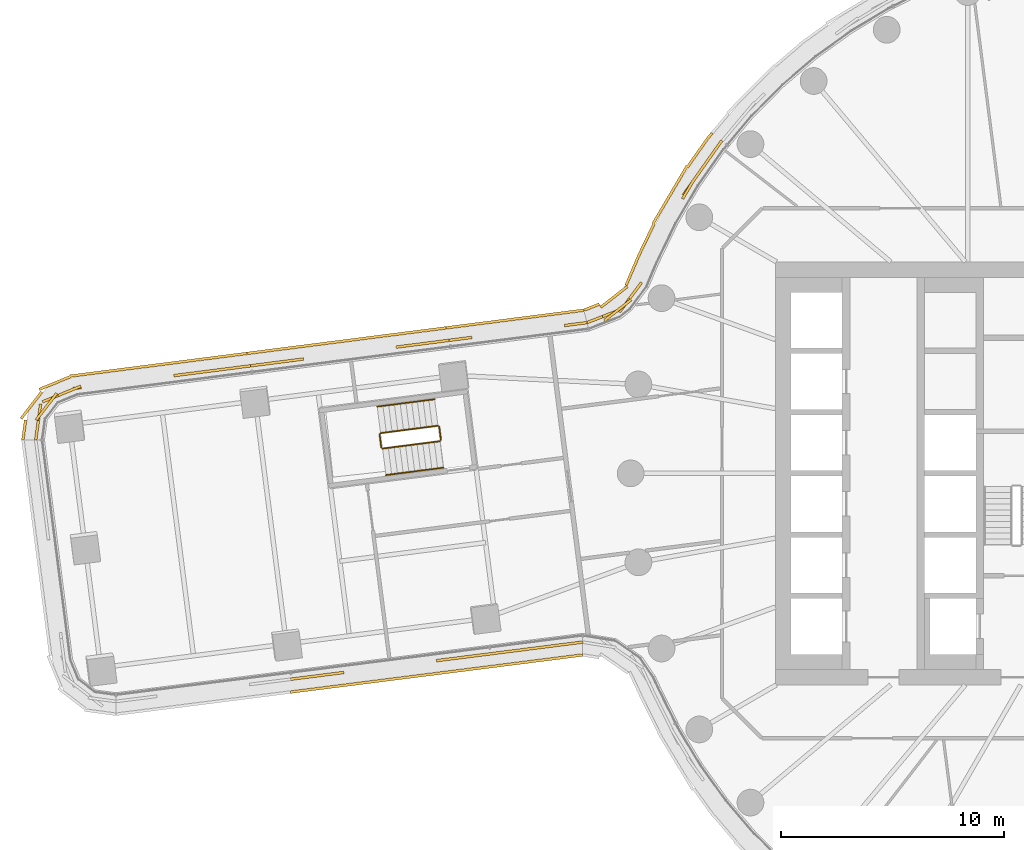
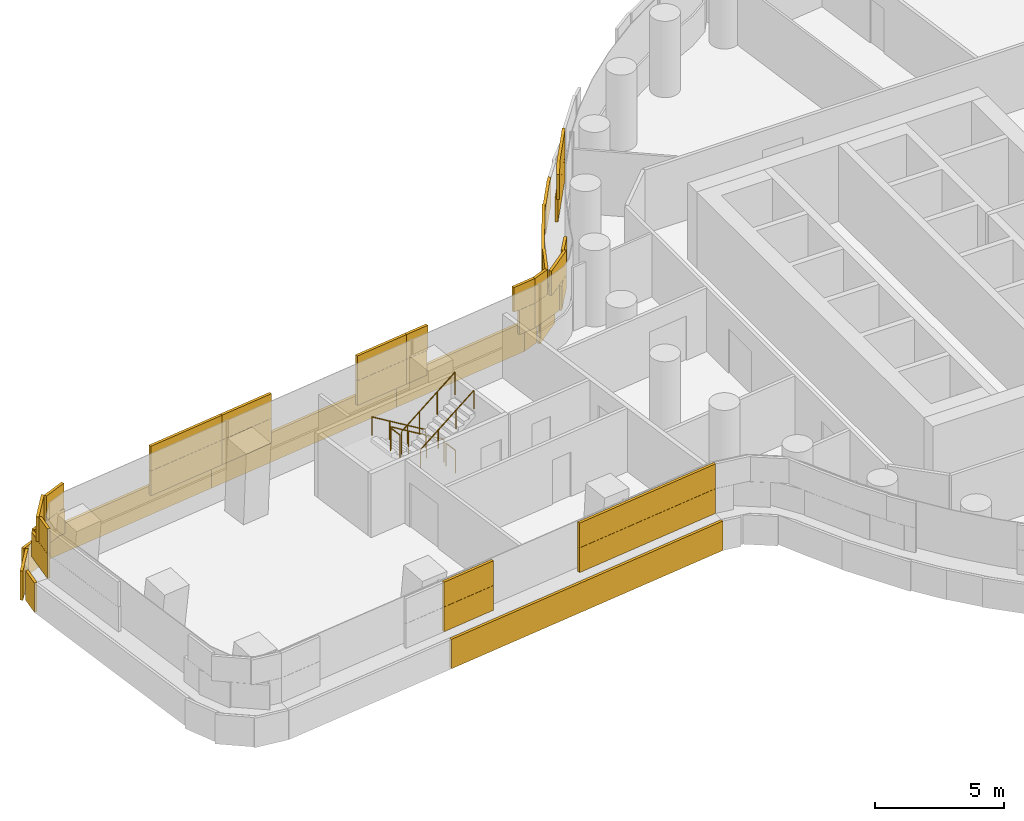
# One storey, part 27 of 31: 6 railings, 5 coverings.
"""IFC4 building model written with IfcOpenShell, lengths in metres."""

import ifcopenshell
import ifcopenshell.guid

model = None  # the IFC model being written
_history = None  # IfcOwnerHistory: only IFC2X3 demands one
_inside = {}  # id of a spatial element -> (the spatial element, [elements in it])
_under = {}  # id of a project, library or spatial element -> (it, [spatial elements below it])
_declared = {}  # id of a project -> (the project, [libraries it declares])
_typed = {}  # id of a type object -> (the type object, [elements of that type])
_made_of = {}  # id of a material, layer set ... -> (it, [elements and type objects made of it])


def new_model(schema):
    """Start an empty IFC model of exactly this schema.

    Asked for "IFC4X3", IfcOpenShell would pick the latest addendum, in which some entities
    have other attributes; the version numbers below select the first issue.
    IFC2X3 requires an IfcOwnerHistory on every rooted entity: one is made here for all.
    """
    global model, _history
    if schema == "IFC4X3":
        model = ifcopenshell.file(schema_version=(4, 3, 0, 0))
    else:
        model = ifcopenshell.file(schema=schema)
    _inside.clear()
    _under.clear()
    _declared.clear()
    _typed.clear()
    _made_of.clear()
    _history = None
    if model.schema == "IFC2X3":
        org = make("IfcOrganization", Name="unknown")
        user = make(
            "IfcPersonAndOrganization",
            ThePerson=make("IfcPerson", FamilyName="unknown"),
            TheOrganization=org,
        )
        app = make(
            "IfcApplication",
            ApplicationDeveloper=org,
            Version="unknown",
            ApplicationFullName="unknown",
            ApplicationIdentifier="unknown",
        )
        _history = make(
            "IfcOwnerHistory",
            OwningUser=user,
            OwningApplication=app,
            ChangeAction="ADDED",
            CreationDate=0,
        )
    return model


def make(cls, **values):
    """One entity of the class cls with the attributes given. An attribute that is None is left unset."""
    return model.create_entity(
        cls, **{name: value for name, value in values.items() if value is not None}
    )


def rooted(cls, **values):
    """An entity with a GlobalId (a new one), such as an element, a storey or a relation."""
    return make(cls, GlobalId=ifcopenshell.guid.new(), OwnerHistory=_history, **values)


def si_unit(unit_type, name, prefix=None):
    """IfcSIUnit, for example si_unit("LENGTHUNIT", "METRE", prefix="MILLI")."""
    return make("IfcSIUnit", UnitType=unit_type, Prefix=prefix, Name=name)


def assignment(units):
    """IfcUnitAssignment: the units of a project."""
    return None if units is None else make("IfcUnitAssignment", Units=units)


def point(xyz):
    """IfcCartesianPoint."""
    return None if xyz is None else make("IfcCartesianPoint", Coordinates=xyz)


def direction(xyz):
    """IfcDirection."""
    return None if xyz is None else make("IfcDirection", DirectionRatios=xyz)


def frame(location, z_axis=None, x_axis=None):
    """IfcAxis2Placement3D, a coordinate frame: its origin and axes. An axis left out is left unset."""
    return make(
        "IfcAxis2Placement3D",
        Location=point(location),
        Axis=direction(z_axis),
        RefDirection=direction(x_axis),
    )


def frame_2d(location, x_axis=None):
    """IfcAxis2Placement2D, a coordinate frame in the plane: its origin and x axis."""
    return make(
        "IfcAxis2Placement2D", Location=point(location), RefDirection=direction(x_axis)
    )


def origin():
    """The frame at (0, 0, 0) with its axes left unset."""
    return frame((0.0, 0.0, 0.0))


def origin_2d():
    """The frame at (0, 0) in the plane with its x axis left unset."""
    return frame_2d((0.0, 0.0))


def place(relative_to, where):
    """IfcLocalPlacement: puts the frame where relative to a parent placement (None: the world)."""
    return make(
        "IfcLocalPlacement", PlacementRelTo=relative_to, RelativePlacement=where
    )


def context(
    kind, dimensions, precision=None, world=None, true_north=None, identifier=None
):
    """IfcGeometricRepresentationContext, for example the 3D "Model" context."""
    return make(
        "IfcGeometricRepresentationContext",
        ContextIdentifier=identifier,
        ContextType=kind,
        CoordinateSpaceDimension=dimensions,
        Precision=precision,
        WorldCoordinateSystem=world,
        TrueNorth=true_north,
    )


def subcontext(parent, identifier, kind, view, scale=None):
    """IfcGeometricRepresentationSubContext, for example "Body" below "Model"."""
    return make(
        "IfcGeometricRepresentationSubContext",
        ContextIdentifier=identifier,
        ContextType=kind,
        ParentContext=parent,
        TargetScale=scale,
        TargetView=view,
    )


def project(units=None, contexts=None):
    """IfcProject with its units and contexts."""
    return rooted(
        "IfcProject",
        Name="project",
        RepresentationContexts=contexts,
        UnitsInContext=assignment(units),
    )


def spatial(cls, under=None, at=None, **own):
    """A site, building, storey or space (cls), placed at a placement, below another one or the project."""
    s = rooted(cls, ObjectPlacement=at, **own)
    if under is not None:
        _under.setdefault(under.id(), (under, []))[1].append(s)
    return s


def profile(cls, at=None, kind="AREA", **sizes):
    """A parametric profile (cls). Its sizes go by their IFC names, for example OverallWidth=200.0."""
    return make(cls, ProfileType=kind, Position=at, **sizes)


def rectangle(**sizes):
    """IfcRectangleProfileDef."""
    return profile("IfcRectangleProfileDef", **sizes)


def circle(**sizes):
    """IfcCircleProfileDef."""
    return profile("IfcCircleProfileDef", **sizes)


def extrude(swept, where, along, depth):
    """IfcExtrudedAreaSolid: the profile swept, set in the frame where, extruded along a direction by depth."""
    return make(
        "IfcExtrudedAreaSolid",
        SweptArea=swept,
        Position=where,
        ExtrudedDirection=direction(along),
        Depth=depth,
    )


def shape(context_of_items, identifier, shape_type, items):
    """IfcShapeRepresentation: the items that make up one representation, for example the "Body"."""
    return make(
        "IfcShapeRepresentation",
        ContextOfItems=context_of_items,
        RepresentationIdentifier=identifier,
        RepresentationType=shape_type,
        Items=items,
    )


def material(Name=None, Category=None):
    """IfcMaterial."""
    return make("IfcMaterial", Name=Name, Category=Category)


def layer(
    of_material, thickness, ventilated=None, Name=None, Category=None, Priority=None
):
    """IfcMaterialLayer: one layer of a wall or slab, of a material (None: an air gap)."""
    return make(
        "IfcMaterialLayer",
        Material=of_material,
        LayerThickness=thickness,
        IsVentilated=ventilated,
        Name=Name,
        Category=Category,
        Priority=Priority,
    )


def layer_set(layers, Name=None):
    """IfcMaterialLayerSet."""
    return make("IfcMaterialLayerSet", MaterialLayers=layers, LayerSetName=Name)


def made_of(thing, what):
    """Note that an element or type object is made of a material, layer set ...; save() writes the relation."""
    if what is not None:
        _made_of.setdefault(what.id(), (what, []))[1].append(thing)
    return thing


def type_object(cls, material=None, **own):
    """A type object (cls), such as IfcWallType, which elements share."""
    return made_of(rooted(cls, **own), material)


def element(
    cls,
    number,
    at=None,
    inside=None,
    cuts=None,
    type_object=None,
    material=None,
    context=None,
    identifier="Body",
    shape_type=None,
    held_by="IfcProductDefinitionShape",
    body=None,
    shapes=None,
    **own,
):
    """One element of the class cls, such as IfcWall. Its Tag is "e" and its number.

    at: its placement. inside: the storey or other place that contains it. cuts: it is an
    opening in that element (IfcRelVoidsElement). A single representation is given by context,
    identifier, shape_type and body (its items); several are given by shapes. held_by: the class
    of the entity that holds the representations. save() writes the other relations.
    """
    e = rooted(cls, Tag="e%d" % number, ObjectPlacement=at, **own)
    if body is not None:
        shapes = [shape(context, identifier, shape_type, body)]
    if shapes is not None:
        e.Representation = make(held_by, Representations=shapes)
    if inside is not None:
        _inside.setdefault(inside.id(), (inside, []))[1].append(e)
    if cuts is not None:
        rooted(
            "IfcRelVoidsElement", RelatingBuildingElement=cuts, RelatedOpeningElement=e
        )
    if type_object is not None:
        _typed.setdefault(type_object.id(), (type_object, []))[1].append(e)
    return made_of(e, material)


def aggregate(whole, parts):
    """IfcRelAggregates: a whole, such as a stair, and the parts it consists of."""
    return rooted("IfcRelAggregates", RelatingObject=whole, RelatedObjects=parts)


def save(model, path):
    """Write the relations noted so far, then the file.

    IfcRelAggregates (storeys below a building ...), IfcRelContainedInSpatialStructure (elements
    in a storey), IfcRelDefinesByType, IfcRelAssociatesMaterial and IfcRelDeclares: one each for
    every whole, place, type object, material and project.
    """
    for whole, parts in _under.values():
        aggregate(whole, parts)
    for where, things in _inside.values():
        rooted(
            "IfcRelContainedInSpatialStructure",
            RelatedElements=things,
            RelatingStructure=where,
        )
    for kind, things in _typed.values():
        rooted("IfcRelDefinesByType", RelatedObjects=things, RelatingType=kind)
    for what, things in _made_of.values():
        rooted("IfcRelAssociatesMaterial", RelatedObjects=things, RelatingMaterial=what)
    for by, libraries in _declared.values():
        rooted("IfcRelDeclares", RelatingContext=by, RelatedDefinitions=libraries)
    model.write(path)


model = new_model("IFC4")

# Units and contexts
model_context = context("Model", 3, precision=1e-05, world=origin(), true_north=direction((0.0, 1.0)))
body_context = subcontext(model_context, "Body", "Model", "MODEL_VIEW")
ifc_project = project(units=[si_unit("LENGTHUNIT", "METRE"), si_unit("AREAUNIT", "SQUARE_METRE"), si_unit("VOLUMEUNIT", "CUBIC_METRE"), si_unit("PLANEANGLEUNIT", "RADIAN"), si_unit("MASSUNIT", "GRAM", prefix="KILO")], contexts=[model_context])

# Site, building, storey
site_placement = place(None, origin())
site = spatial("IfcSite", under=ifc_project, at=site_placement, CompositionType="ELEMENT")
building_placement = place(site_placement, origin())
building = spatial("IfcBuilding", under=site, at=building_placement, Name="Tamarind Cross Interchange Tower", CompositionType="ELEMENT")
storey_placement = place(building_placement, frame((0.0, 0.0, 60.25)))
storey = spatial("IfcBuildingStorey", under=building, at=storey_placement, Name="L13", CompositionType="ELEMENT", Elevation=60.25)

# Railings
ifc_material_1 = material(Name="Stair guard")
railing_type_1 = type_object("IfcRailingType", Name="Stair guard", PredefinedType="GUARDRAIL", material=ifc_material_1)
railing_1_placement = place(storey_placement, frame((-31.65087890625, 2.138916015625, 0.17041015625)))
element("IfcRailing", 1, at=railing_1_placement, inside=storey, type_object=railing_type_1, Name="L13 ST5 stair guard 1", PredefinedType="GUARDRAIL", context=body_context, shape_type="SweptSolid", body=[
    extrude(circle(Radius=0.02392578125, at=origin_2d()), frame((0.0, 0.0, 1.076171875), z_axis=(-0.829487826646, -0.106483526738, 0.548280223955), x_axis=(0.127327757742, -0.991860696927, 0.0)), (0.0, 0.0, 1.0), 3.10888671875),
    extrude(circle(Radius=0.02099609375, at=origin_2d()), origin(), (0.0, 0.0, 1.0), 1.052001953125),
    extrude(circle(Radius=0.02099609375, at=origin_2d()), frame((-0.859619140625, -0.1103515625, 0.568115234375)), (0.0, 0.0, 1.0), 1.052001953125),
    extrude(circle(Radius=0.02099609375, at=origin_2d()), frame((-1.71923828125, -0.220703125, 1.136474609375)), (0.0, 0.0, 1.0), 1.052001953125),
    extrude(circle(Radius=0.02099609375, at=origin_2d()), frame((-2.578857421875, -0.3310546875, 1.70458984375)), (0.0, 0.0, 1.0), 1.052001953125),
])
railing_2_placement = place(storey_placement, frame((-34.27294921875, 1.751953125, 1.875)))
element("IfcRailing", 2, at=railing_2_placement, inside=storey, type_object=railing_type_1, Name="L13 ST5 stair guard 2", PredefinedType="GUARDRAIL", context=body_context, shape_type="SweptSolid", body=[
    extrude(circle(Radius=0.02392578125, at=origin_2d()), frame((0.0, 0.0, 1.076171875), z_axis=(0.127338783873, -0.991859281411, 0.0), x_axis=(0.991859281411, 0.127338783873, 0.0)), (0.0, 0.0, 1.0), 0.60009765625),
    extrude(circle(Radius=0.02099609375, at=origin_2d()), origin(), (0.0, 0.0, 1.0), 1.052001953125),
    extrude(circle(Radius=0.02099609375, at=origin_2d()), frame((0.076416015625, -0.59521484375, 0.0)), (0.0, 0.0, 1.0), 1.052001953125),
])
railing_3_placement = place(storey_placement, frame((-34.140625, 1.113525390625, 2.04541015625)))
element("IfcRailing", 3, at=railing_3_placement, inside=storey, type_object=railing_type_1, Name="L13 ST5 stair guard 3", PredefinedType="GUARDRAIL", context=body_context, shape_type="SweptSolid", body=[
    extrude(circle(Radius=0.02392578125, at=origin_2d()), frame((0.0, 0.0, 1.076171875), z_axis=(0.829487826646, 0.106483526738, 0.548280223955), x_axis=(-0.127327757742, 0.991860696927, 0.0)), (0.0, 0.0, 1.0), 3.10888671875),
    extrude(circle(Radius=0.02099609375, at=origin_2d()), origin(), (0.0, 0.0, 1.0), 1.052001953125),
    extrude(circle(Radius=0.02099609375, at=origin_2d()), frame((0.859619140625, 0.1103515625, 0.568115234375)), (0.0, 0.0, 1.0), 1.052001953125),
    extrude(circle(Radius=0.02099609375, at=origin_2d()), frame((1.71923828125, 0.220703125, 1.136474609375)), (0.0, 0.0, 1.0), 1.052001953125),
    extrude(circle(Radius=0.02099609375, at=origin_2d()), frame((2.578857421875, 0.3310546875, 1.70458984375)), (0.0, 0.0, 1.0), 1.052001953125),
])
railing_4_placement = place(storey_placement, frame((-31.5947265625, 2.095703125, 0.0)))
element("IfcRailing", 4, at=railing_4_placement, inside=storey, type_object=railing_type_1, Name="L13 ST5 stair guard 4", PredefinedType="GUARDRAIL", context=body_context, shape_type="SweptSolid", body=[
    extrude(circle(Radius=0.02392578125, at=origin_2d()), frame((0.0, 0.0, 1.076171875), z_axis=(0.126938516494, -0.991910587216, 0.0), x_axis=(0.991910587216, 0.126938516494, 0.0)), (0.0, 0.0, 1.0), 0.60009765625),
    extrude(circle(Radius=0.02099609375, at=origin_2d()), origin(), (0.0, 0.0, 1.0), 1.052001953125),
    extrude(circle(Radius=0.02099609375, at=origin_2d()), frame((0.076171875, -0.59521484375, 0.0)), (0.0, 0.0, 1.0), 1.052001953125),
])
ifc_material_2 = material(Name="Stair handrail")
railing_type_2 = type_object("IfcRailingType", Name="Stair handrail", PredefinedType="HANDRAIL", material=ifc_material_2)
railing_5_placement = place(storey_placement, frame((-31.803466796875, 3.3291015625, 0.17041015625)))
element("IfcRailing", 5, at=railing_5_placement, inside=storey, type_object=railing_type_2, Name="L13 ST5 stair handrail 1", PredefinedType="HANDRAIL", context=body_context, shape_type="SweptSolid", body=[
    extrude(circle(Radius=0.02392578125, at=origin_2d()), frame((0.0, 0.0, 0.8759765625), z_axis=(-0.829487826646, -0.106483526738, 0.548280223955), x_axis=(0.127327757742, -0.991860696927, 0.0)), (0.0, 0.0, 1.0), 3.10888671875),
    extrude(circle(Radius=0.02099609375, at=origin_2d()), origin(), (0.0, 0.0, 1.0), 0.851806640625),
    extrude(circle(Radius=0.02099609375, at=origin_2d()), frame((-0.859619140625, -0.1103515625, 0.568115234375)), (0.0, 0.0, 1.0), 0.851806640625),
    extrude(circle(Radius=0.02099609375, at=origin_2d()), frame((-1.71923828125, -0.220703125, 1.136474609375)), (0.0, 0.0, 1.0), 0.851806640625),
    extrude(circle(Radius=0.02099609375, at=origin_2d()), frame((-2.578857421875, -0.3310546875, 1.70458984375)), (0.0, 0.0, 1.0), 0.851806640625),
])
railing_6_placement = place(storey_placement, frame((-33.98779296875, -0.07666015625, 2.04541015625)))
element("IfcRailing", 6, at=railing_6_placement, inside=storey, type_object=railing_type_2, Name="L13 ST5 stair handrail 2", PredefinedType="HANDRAIL", context=body_context, shape_type="SweptSolid", body=[
    extrude(circle(Radius=0.02392578125, at=origin_2d()), frame((0.0, 0.0, 0.8759765625), z_axis=(0.829487826646, 0.106483526738, 0.548280223955), x_axis=(-0.127327757742, 0.991860696927, 0.0)), (0.0, 0.0, 1.0), 3.10888671875),
    extrude(circle(Radius=0.02099609375, at=origin_2d()), origin(), (0.0, 0.0, 1.0), 0.851806640625),
    extrude(circle(Radius=0.02099609375, at=origin_2d()), frame((0.859619140625, 0.1103515625, 0.568115234375)), (0.0, 0.0, 1.0), 0.851806640625),
    extrude(circle(Radius=0.02099609375, at=origin_2d()), frame((1.71923828125, 0.220703125, 1.136474609375)), (0.0, 0.0, 1.0), 0.851806640625),
    extrude(circle(Radius=0.02099609375, at=origin_2d()), frame((2.578857421875, 0.3310546875, 1.70458984375)), (0.0, 0.0, 1.0), 0.851806640625),
])

# Coverings
ifc_material_3 = material(Name="Terracotta", Category="masonry")
ifc_layer = layer(ifc_material_3, 0.1201171875)
ifc_layer_set = layer_set([ifc_layer], Name="Terracotta")
covering_type = type_object("IfcCoveringType", Name="Terracotta baguette screen unit", PredefinedType="MOLDING", material=ifc_layer_set)
covering_1_placement = place(storey_placement, origin())
element("IfcCovering", 7, at=covering_1_placement, inside=storey, type_object=covering_type, Name="SCR-L13-01-01", PredefinedType="MOLDING", context=body_context, shape_type="SweptSolid", body=[
    extrude(rectangle(XDim=0.3515625, YDim=0.1201171875, at=origin_2d()), frame((-38.098388671875, -9.2236328125, 1.404052734375), z_axis=(0.0, 0.0, 1.0), x_axis=(0.992009784455, 0.126160958881, 0.0)), (0.0, 0.0, 1.0), 1.1669921875),
    extrude(rectangle(XDim=1.52001953125, YDim=0.1201171875, at=origin_2d()), frame((-37.18505859375, -9.107421875, 1.404052734375), z_axis=(0.0, 0.0, 1.0), x_axis=(0.992009784455, 0.126160958881, 0.0)), (0.0, 0.0, 1.0), 1.1669921875),
    extrude(rectangle(XDim=0.568359375, YDim=0.1201171875, at=origin_2d()), frame((-36.164306640625, -8.9775390625, 1.404052734375), z_axis=(0.0, 0.0, 1.0), x_axis=(0.992009784455, 0.126160958881, 0.0)), (0.0, 0.0, 1.0), 1.1669921875),
    extrude(rectangle(XDim=1.251708984375, YDim=0.1201171875, at=origin_2d()), frame((-31.10498046875, -8.334228515625, 1.404052734375), z_axis=(0.0, 0.0, 1.0), x_axis=(0.992009784455, 0.126160958881, 0.0)), (0.0, 0.0, 1.0), 1.1669921875),
    extrude(rectangle(XDim=1.52001953125, YDim=0.1201171875, at=origin_2d()), frame((-29.7451171875, -8.161376953125, 1.404052734375), z_axis=(0.0, 0.0, 1.0), x_axis=(0.992009784455, 0.126160958881, 0.0)), (0.0, 0.0, 1.0), 1.1669921875),
    extrude(rectangle(XDim=1.52001953125, YDim=0.1201171875, at=origin_2d()), frame((-28.257080078125, -7.971923828125, 1.404052734375), z_axis=(0.0, 0.0, 1.0), x_axis=(0.992009784455, 0.126160958881, 0.0)), (0.0, 0.0, 1.0), 1.1669921875),
    extrude(rectangle(XDim=1.52001953125, YDim=0.1201171875, at=origin_2d()), frame((-26.76904296875, -7.78271484375, 1.404052734375), z_axis=(0.0, 0.0, 1.0), x_axis=(0.992009784455, 0.126160958881, 0.0)), (0.0, 0.0, 1.0), 1.1669921875),
    extrude(rectangle(XDim=0.886474609375, YDim=0.1201171875, at=origin_2d()), frame((-25.59033203125, -7.6328125, 1.404052734375), z_axis=(0.0, 0.0, 1.0), x_axis=(0.992009784455, 0.126160958881, 0.0)), (0.0, 0.0, 1.0), 1.1669921875),
    extrude(rectangle(XDim=1.1015625, YDim=0.1201171875, at=origin_2d()), frame((-37.7265625, -9.17626953125, 2.5791015625), z_axis=(0.0, 0.0, 1.0), x_axis=(0.992009784455, 0.126160958881, 0.0)), (0.0, 0.0, 1.0), 1.1669921875),
    extrude(rectangle(XDim=1.318359375, YDim=0.1201171875, at=origin_2d()), frame((-36.5361328125, -9.02490234375, 2.5791015625), z_axis=(0.0, 0.0, 1.0), x_axis=(0.992009784455, 0.126160958881, 0.0)), (0.0, 0.0, 1.0), 1.1669921875),
    extrude(rectangle(XDim=0.501708984375, YDim=0.1201171875, at=origin_2d()), frame((-31.47705078125, -8.381591796875, 2.5791015625), z_axis=(0.0, 0.0, 1.0), x_axis=(0.992009784455, 0.126160958881, 0.0)), (0.0, 0.0, 1.0), 1.1669921875),
    extrude(rectangle(XDim=1.52001953125, YDim=0.1201171875, at=origin_2d()), frame((-30.489013671875, -8.255859375, 2.5791015625), z_axis=(0.0, 0.0, 1.0), x_axis=(0.992009784455, 0.126160958881, 0.0)), (0.0, 0.0, 1.0), 1.1669921875),
    extrude(rectangle(XDim=1.52001953125, YDim=0.1201171875, at=origin_2d()), frame((-29.0009765625, -8.066650390625, 2.5791015625), z_axis=(0.0, 0.0, 1.0), x_axis=(0.992009784455, 0.126160958881, 0.0)), (0.0, 0.0, 1.0), 1.1669921875),
    extrude(rectangle(XDim=1.52001953125, YDim=0.1201171875, at=origin_2d()), frame((-27.512939453125, -7.87744140625, 2.5791015625), z_axis=(0.0, 0.0, 1.0), x_axis=(0.992009784455, 0.126160958881, 0.0)), (0.0, 0.0, 1.0), 1.1669921875),
    extrude(rectangle(XDim=1.52001953125, YDim=0.1201171875, at=origin_2d()), frame((-26.02490234375, -7.688232421875, 2.5791015625), z_axis=(0.0, 0.0, 1.0), x_axis=(0.992009784455, 0.126160958881, 0.0)), (0.0, 0.0, 1.0), 1.1669921875),
    extrude(rectangle(XDim=0.136474609375, YDim=0.1201171875, at=origin_2d()), frame((-25.21826171875, -7.585693359375, 2.5791015625), z_axis=(0.0, 0.0, 1.0), x_axis=(0.992009784455, 0.126160958881, 0.0)), (0.0, 0.0, 1.0), 1.1669921875),
    extrude(rectangle(XDim=0.3544921875, YDim=0.1201171875, at=origin_2d()), frame((-38.09716796875, -9.802001953125, 0.00390625), z_axis=(0.0, 0.0, 1.0), x_axis=(0.992009784455, 0.126160958881, 0.0)), (0.0, 0.0, 1.0), 1.39208984375),
    extrude(rectangle(XDim=1.52001953125, YDim=0.1201171875, at=origin_2d()), frame((-37.187255859375, -9.686279296875, 0.00390625), z_axis=(0.0, 0.0, 1.0), x_axis=(0.992009784455, 0.126160958881, 0.0)), (0.0, 0.0, 1.0), 1.39208984375),
    extrude(rectangle(XDim=1.52001953125, YDim=0.1201171875, at=origin_2d()), frame((-35.69921875, -9.4970703125, 0.00390625), z_axis=(0.0, 0.0, 1.0), x_axis=(0.992009784455, 0.126160958881, 0.0)), (0.0, 0.0, 1.0), 1.39208984375),
    extrude(rectangle(XDim=1.52001953125, YDim=0.1201171875, at=origin_2d()), frame((-34.21142578125, -9.307861328125, 0.00390625), z_axis=(0.0, 0.0, 1.0), x_axis=(0.992009784455, 0.126160958881, 0.0)), (0.0, 0.0, 1.0), 1.39208984375),
    extrude(rectangle(XDim=1.52001953125, YDim=0.1201171875, at=origin_2d()), frame((-32.723388671875, -9.11865234375, 0.00390625), z_axis=(0.0, 0.0, 1.0), x_axis=(0.992009784455, 0.126160958881, 0.0)), (0.0, 0.0, 1.0), 1.39208984375),
    extrude(rectangle(XDim=1.52001953125, YDim=0.1201171875, at=origin_2d()), frame((-31.2353515625, -8.929443359375, 0.00390625), z_axis=(0.0, 0.0, 1.0), x_axis=(0.992009784455, 0.126160958881, 0.0)), (0.0, 0.0, 1.0), 1.39208984375),
    extrude(rectangle(XDim=1.52001953125, YDim=0.1201171875, at=origin_2d()), frame((-29.747314453125, -8.740234375, 0.00390625), z_axis=(0.0, 0.0, 1.0), x_axis=(0.992009784455, 0.126160958881, 0.0)), (0.0, 0.0, 1.0), 1.39208984375),
    extrude(rectangle(XDim=1.52001953125, YDim=0.1201171875, at=origin_2d()), frame((-28.25927734375, -8.551025390625, 0.00390625), z_axis=(0.0, 0.0, 1.0), x_axis=(0.992009784455, 0.126160958881, 0.0)), (0.0, 0.0, 1.0), 1.39208984375),
    extrude(rectangle(XDim=1.52001953125, YDim=0.1201171875, at=origin_2d()), frame((-26.771240234375, -8.36181640625, 0.00390625), z_axis=(0.0, 0.0, 1.0), x_axis=(0.992009784455, 0.126160958881, 0.0)), (0.0, 0.0, 1.0), 1.39208984375),
    extrude(rectangle(XDim=0.878662109375, YDim=0.1201171875, at=origin_2d()), frame((-25.601318359375, -8.212890625, 0.00390625), z_axis=(0.0, 0.0, 1.0), x_axis=(0.992009784455, 0.126160958881, 0.0)), (0.0, 0.0, 1.0), 1.39208984375),
])
covering_2_placement = place(storey_placement, origin())
element("IfcCovering", 8, at=covering_2_placement, inside=storey, type_object=covering_type, Name="SCR-L13-14-01", PredefinedType="MOLDING", context=body_context, shape_type="SweptSolid", body=[
    extrude(rectangle(XDim=1.493896484375, YDim=0.1201171875, at=origin_2d()), frame((-19.33984375, 14.331787109375, 1.404052734375), z_axis=(0.0, 0.0, 1.0), x_axis=(-0.577568978284, -0.816341886298, 0.0)), (0.0, 0.0, 1.0), 1.1669921875),
    extrude(rectangle(XDim=1.52001953125, YDim=0.1201171875, at=origin_2d()), frame((-20.201416015625, 13.11376953125, 1.404052734375), z_axis=(0.0, 0.0, 1.0), x_axis=(-0.577568978284, -0.816341886298, 0.0)), (0.0, 0.0, 1.0), 1.1669921875),
    extrude(rectangle(XDim=1.52001953125, YDim=0.1201171875, at=origin_2d()), frame((-23.047607421875, 7.8515625, 1.404052734375), z_axis=(0.0, 0.0, 1.0), x_axis=(-0.597043444231, -0.802208904027, 0.0)), (0.0, 0.0, 1.0), 1.1669921875),
    extrude(rectangle(XDim=1.505615234375, YDim=0.1201171875, at=origin_2d()), frame((-24.2626953125, 7.039306640625, 1.404052734375), z_axis=(0.0, 0.0, 1.0), x_axis=(-0.931994285303, -0.362472967491, 0.0)), (0.0, 0.0, 1.0), 1.1669921875),
    extrude(rectangle(XDim=0.743896484375, YDim=0.1201171875, at=origin_2d()), frame((-19.123291015625, 14.637939453125, 2.5791015625), z_axis=(0.0, 0.0, 1.0), x_axis=(-0.577568978284, -0.816341886298, 0.0)), (0.0, 0.0, 1.0), 1.1669921875),
    extrude(rectangle(XDim=1.52001953125, YDim=0.1201171875, at=origin_2d()), frame((-19.768310546875, 13.72607421875, 2.5791015625), z_axis=(0.0, 0.0, 1.0), x_axis=(-0.577568978284, -0.816341886298, 0.0)), (0.0, 0.0, 1.0), 1.1669921875),
    extrude(rectangle(XDim=0.915771484375, YDim=0.1201171875, at=origin_2d()), frame((-20.433837890625, 12.72509765625, 2.5791015625), z_axis=(0.0, 0.0, 1.0), x_axis=(-0.508183308752, -0.861248933065, 0.0)), (0.0, 0.0, 1.0), 1.1669921875),
    extrude(rectangle(XDim=0.904296875, YDim=0.1201171875, at=origin_2d()), frame((-22.78076171875, 8.210205078125, 2.5791015625), z_axis=(0.0, 0.0, 1.0), x_axis=(-0.597043444231, -0.802208904027, 0.0)), (0.0, 0.0, 1.0), 1.1669921875),
    extrude(rectangle(XDim=1.52001953125, YDim=0.1201171875, at=origin_2d()), frame((-23.576171875, 7.32861328125, 2.5791015625), z_axis=(0.0, 0.0, 1.0), x_axis=(-0.788022516762, -0.615646418877, 0.0)), (0.0, 0.0, 1.0), 1.1669921875),
    extrude(rectangle(XDim=0.755615234375, YDim=0.1201171875, at=origin_2d()), frame((-24.6123046875, 6.9033203125, 2.5791015625), z_axis=(0.0, 0.0, 1.0), x_axis=(-0.931994285303, -0.362472967491, 0.0)), (0.0, 0.0, 1.0), 1.1669921875),
    extrude(rectangle(XDim=0.375244140625, YDim=0.1201171875, at=origin_2d()), frame((-19.46435546875, 15.1357421875, 0.00390625), z_axis=(0.0, 0.0, 1.0), x_axis=(-0.643009266048, -0.765858396687, 0.0)), (0.0, 0.0, 1.0), 1.39208984375),
    extrude(rectangle(XDim=1.52001953125, YDim=0.1201171875, at=origin_2d()), frame((-20.00634765625, 14.38330078125, 0.00390625), z_axis=(0.0, 0.0, 1.0), x_axis=(-0.577568978284, -0.816341886298, 0.0)), (0.0, 0.0, 1.0), 1.39208984375),
    extrude(rectangle(XDim=1.52001953125, YDim=0.1201171875, at=origin_2d()), frame((-20.852294921875, 13.1455078125, 0.00390625), z_axis=(0.0, 0.0, 1.0), x_axis=(-0.508183308752, -0.861248933065, 0.0)), (0.0, 0.0, 1.0), 1.39208984375),
    extrude(rectangle(XDim=1.52001953125, YDim=0.1201171875, at=origin_2d()), frame((-21.61474609375, 11.853759765625, 0.00390625), z_axis=(0.0, 0.0, 1.0), x_axis=(-0.508183308752, -0.861248933065, 0.0)), (0.0, 0.0, 1.0), 1.39208984375),
    extrude(rectangle(XDim=1.52001953125, YDim=0.1201171875, at=origin_2d()), frame((-22.285400390625, 10.5126953125, 0.00390625), z_axis=(0.0, 0.0, 1.0), x_axis=(-0.435326231914, -0.900272776334, 0.0)), (0.0, 0.0, 1.0), 1.39208984375),
    extrude(rectangle(XDim=1.52001953125, YDim=0.1201171875, at=origin_2d()), frame((-22.90673828125, 9.14794921875, 0.00390625), z_axis=(0.0, 0.0, 1.0), x_axis=(-0.391774858116, -0.920061117833, 0.0)), (0.0, 0.0, 1.0), 1.39208984375),
    extrude(rectangle(XDim=1.52001953125, YDim=0.1201171875, at=origin_2d()), frame((-23.748291015625, 7.922607421875, 0.00390625), z_axis=(0.0, 0.0, 1.0), x_axis=(-0.788022516762, -0.615646418877, 0.0)), (0.0, 0.0, 1.0), 1.39208984375),
    extrude(rectangle(XDim=0.746337890625, YDim=0.1201171875, at=origin_2d()), frame((-24.75439453125, 7.4638671875, 0.00390625), z_axis=(0.0, 0.0, 1.0), x_axis=(-0.931994285303, -0.362472967491, 0.0)), (0.0, 0.0, 1.0), 1.39208984375),
])
covering_3_placement = place(storey_placement, origin())
element("IfcCovering", 9, at=covering_3_placement, inside=storey, type_object=covering_type, Name="SCR-L13-15-00", PredefinedType="MOLDING", context=body_context, shape_type="SweptSolid", body=[
    extrude(rectangle(XDim=0.760009765625, YDim=0.1201171875, at=origin_2d()), frame((-25.33154296875, 6.720458984375, 1.404052734375), z_axis=(0.0, 0.0, 1.0), x_axis=(-0.991864253985, -0.127300045824, 0.0)), (0.0, 0.0, 1.0), 1.1669921875),
    extrude(rectangle(XDim=0.997314453125, YDim=0.1201171875, at=origin_2d()), frame((-30.656494140625, 6.037109375, 1.404052734375), z_axis=(0.0, 0.0, 1.0), x_axis=(-0.991864253985, -0.127300045824, 0.0)), (0.0, 0.0, 1.0), 1.1669921875),
    extrude(rectangle(XDim=1.0185546875, YDim=0.1201171875, at=origin_2d()), frame((-25.46484375, 6.703369140625, 2.5791015625), z_axis=(0.0, 0.0, 1.0), x_axis=(-0.991864253985, -0.127300045824, 0.0)), (0.0, 0.0, 1.0), 1.1669921875),
    extrude(rectangle(XDim=0.79150390625, YDim=0.1201171875, at=origin_2d()), frame((-30.5234375, 6.05419921875, 2.5791015625), z_axis=(0.0, 0.0, 1.0), x_axis=(-0.991864253985, -0.127300045824, 0.0)), (0.0, 0.0, 1.0), 1.1669921875),
    extrude(rectangle(XDim=0.247314453125, YDim=0.1201171875, at=origin_2d()), frame((-31.028564453125, 5.989501953125, 2.5791015625), z_axis=(0.0, 0.0, 1.0), x_axis=(-0.991864253985, -0.127300045824, 0.0)), (0.0, 0.0, 1.0), 1.1669921875),
    extrude(rectangle(XDim=0.760009765625, YDim=0.1201171875, at=origin_2d()), frame((-25.479248046875, 7.2802734375, 0.00390625), z_axis=(0.0, 0.0, 1.0), x_axis=(-0.991864253985, -0.127300045824, 0.0)), (0.0, 0.0, 1.0), 1.39208984375),
    extrude(rectangle(XDim=1.52001953125, YDim=0.1201171875, at=origin_2d()), frame((-26.590087890625, 7.1376953125, 0.00390625), z_axis=(0.0, 0.0, 1.0), x_axis=(-0.991864253985, -0.127300045824, 0.0)), (0.0, 0.0, 1.0), 1.39208984375),
    extrude(rectangle(XDim=1.52001953125, YDim=0.1201171875, at=origin_2d()), frame((-28.077880859375, 6.94677734375, 0.00390625), z_axis=(0.0, 0.0, 1.0), x_axis=(-0.991864253985, -0.127300045824, 0.0)), (0.0, 0.0, 1.0), 1.39208984375),
    extrude(rectangle(XDim=1.52001953125, YDim=0.1201171875, at=origin_2d()), frame((-29.565673828125, 6.755859375, 0.00390625), z_axis=(0.0, 0.0, 1.0), x_axis=(-0.991864253985, -0.127300045824, 0.0)), (0.0, 0.0, 1.0), 1.39208984375),
    extrude(rectangle(XDim=0.998779296875, YDim=0.1201171875, at=origin_2d()), frame((-30.794921875, 6.59814453125, 0.00390625), z_axis=(0.0, 0.0, 1.0), x_axis=(-0.991864253985, -0.127300045824, 0.0)), (0.0, 0.0, 1.0), 1.39208984375),
])
covering_4_placement = place(storey_placement, origin())
element("IfcCovering", 10, at=covering_4_placement, inside=storey, type_object=covering_type, Name="SCR-L13-15-01", PredefinedType="MOLDING", context=body_context, shape_type="SweptSolid", body=[
    extrude(rectangle(XDim=0.522705078125, YDim=0.1201171875, at=origin_2d()), frame((-31.400390625, 5.941650390625, 1.404052734375), z_axis=(0.0, 0.0, 1.0), x_axis=(-0.991864253985, -0.127300045824, 0.0)), (0.0, 0.0, 1.0), 1.1669921875),
    extrude(rectangle(XDim=1.52001953125, YDim=0.1201171875, at=origin_2d()), frame((-32.398681640625, 5.8134765625, 1.404052734375), z_axis=(0.0, 0.0, 1.0), x_axis=(-0.991864253985, -0.127300045824, 0.0)), (0.0, 0.0, 1.0), 1.1669921875),
    extrude(rectangle(XDim=0.3974609375, YDim=0.1201171875, at=origin_2d()), frame((-33.334716796875, 5.693359375, 1.404052734375), z_axis=(0.0, 0.0, 1.0), x_axis=(-0.991864253985, -0.127300045824, 0.0)), (0.0, 0.0, 1.0), 1.1669921875),
    extrude(rectangle(XDim=1.422607421875, YDim=0.1201171875, at=origin_2d()), frame((-38.393310546875, 5.044189453125, 1.404052734375), z_axis=(0.0, 0.0, 1.0), x_axis=(-0.991864253985, -0.127300045824, 0.0)), (0.0, 0.0, 1.0), 1.1669921875),
    extrude(rectangle(XDim=0.99755859375, YDim=0.1201171875, at=origin_2d()), frame((-39.58349609375, 4.891357421875, 1.404052734375), z_axis=(0.0, 0.0, 1.0), x_axis=(-0.991864253985, -0.127300045824, 0.0)), (0.0, 0.0, 1.0), 1.1669921875),
    extrude(rectangle(XDim=1.272705078125, YDim=0.1201171875, at=origin_2d()), frame((-31.7724609375, 5.89404296875, 2.5791015625), z_axis=(0.0, 0.0, 1.0), x_axis=(-0.991864253985, -0.127300045824, 0.0)), (0.0, 0.0, 1.0), 1.1669921875),
    extrude(rectangle(XDim=1.1474609375, YDim=0.1201171875, at=origin_2d()), frame((-32.962646484375, 5.7412109375, 2.5791015625), z_axis=(0.0, 0.0, 1.0), x_axis=(-0.991864253985, -0.127300045824, 0.0)), (0.0, 0.0, 1.0), 1.1669921875),
    extrude(rectangle(XDim=0.672607421875, YDim=0.1201171875, at=origin_2d()), frame((-38.021240234375, 5.092041015625, 2.5791015625), z_axis=(0.0, 0.0, 1.0), x_axis=(-0.991864253985, -0.127300045824, 0.0)), (0.0, 0.0, 1.0), 1.1669921875),
    extrude(rectangle(XDim=1.52001953125, YDim=0.1201171875, at=origin_2d()), frame((-39.09375, 4.954345703125, 2.5791015625), z_axis=(0.0, 0.0, 1.0), x_axis=(-0.991864253985, -0.127300045824, 0.0)), (0.0, 0.0, 1.0), 1.1669921875),
    extrude(rectangle(XDim=0.24755859375, YDim=0.1201171875, at=origin_2d()), frame((-39.95556640625, 4.84375, 2.5791015625), z_axis=(0.0, 0.0, 1.0), x_axis=(-0.991864253985, -0.127300045824, 0.0)), (0.0, 0.0, 1.0), 1.1669921875),
    extrude(rectangle(XDim=0.521240234375, YDim=0.1201171875, at=origin_2d()), frame((-31.548828125, 6.501220703125, 0.00390625), z_axis=(0.0, 0.0, 1.0), x_axis=(-0.991864253985, -0.127300045824, 0.0)), (0.0, 0.0, 1.0), 1.39208984375),
    extrude(rectangle(XDim=1.52001953125, YDim=0.1201171875, at=origin_2d()), frame((-32.541259765625, 6.3740234375, 0.00390625), z_axis=(0.0, 0.0, 1.0), x_axis=(-0.991864253985, -0.127300045824, 0.0)), (0.0, 0.0, 1.0), 1.39208984375),
    extrude(rectangle(XDim=1.52001953125, YDim=0.1201171875, at=origin_2d()), frame((-34.029052734375, 6.18310546875, 0.00390625), z_axis=(0.0, 0.0, 1.0), x_axis=(-0.991864253985, -0.127300045824, 0.0)), (0.0, 0.0, 1.0), 1.39208984375),
    extrude(rectangle(XDim=1.52001953125, YDim=0.1201171875, at=origin_2d()), frame((-35.516845703125, 5.991943359375, 0.00390625), z_axis=(0.0, 0.0, 1.0), x_axis=(-0.991864253985, -0.127300045824, 0.0)), (0.0, 0.0, 1.0), 1.39208984375),
    extrude(rectangle(XDim=1.52001953125, YDim=0.1201171875, at=origin_2d()), frame((-37.004638671875, 5.801025390625, 0.00390625), z_axis=(0.0, 0.0, 1.0), x_axis=(-0.991864253985, -0.127300045824, 0.0)), (0.0, 0.0, 1.0), 1.39208984375),
    extrude(rectangle(XDim=1.52001953125, YDim=0.1201171875, at=origin_2d()), frame((-38.492431640625, 5.610107421875, 0.00390625), z_axis=(0.0, 0.0, 1.0), x_axis=(-0.991864253985, -0.127300045824, 0.0)), (0.0, 0.0, 1.0), 1.39208984375),
    extrude(rectangle(XDim=1.001220703125, YDim=0.1201171875, at=origin_2d()), frame((-39.722900390625, 5.4521484375, 0.00390625), z_axis=(0.0, 0.0, 1.0), x_axis=(-0.991864253985, -0.127300045824, 0.0)), (0.0, 0.0, 1.0), 1.39208984375),
])
covering_5_placement = place(storey_placement, origin())
element("IfcCovering", 11, at=covering_5_placement, inside=storey, type_object=covering_type, Name="SCR-L13-15-02", PredefinedType="MOLDING", context=body_context, shape_type="SweptSolid", body=[
    extrude(rectangle(XDim=0.5224609375, YDim=0.1201171875, at=origin_2d()), frame((-40.327392578125, 4.7958984375, 1.404052734375), z_axis=(0.0, 0.0, 1.0), x_axis=(-0.991864253985, -0.127300045824, 0.0)), (0.0, 0.0, 1.0), 1.1669921875),
    extrude(rectangle(XDim=1.52001953125, YDim=0.1201171875, at=origin_2d()), frame((-41.325439453125, 4.66796875, 1.404052734375), z_axis=(0.0, 0.0, 1.0), x_axis=(-0.991864253985, -0.127300045824, 0.0)), (0.0, 0.0, 1.0), 1.1669921875),
    extrude(rectangle(XDim=1.46533203125, YDim=0.1201171875, at=origin_2d()), frame((-42.791015625, 4.479736328125, 1.404052734375), z_axis=(0.0, 0.0, 1.0), x_axis=(-0.991864253985, -0.127300045824, 0.0)), (0.0, 0.0, 1.0), 1.1669921875),
    extrude(rectangle(XDim=0.354736328125, YDim=0.1201171875, at=origin_2d()), frame((-47.849609375, 3.83056640625, 1.404052734375), z_axis=(0.0, 0.0, 1.0), x_axis=(-0.991864253985, -0.127300045824, 0.0)), (0.0, 0.0, 1.0), 1.1669921875),
    extrude(rectangle(XDim=1.52001953125, YDim=0.1201171875, at=origin_2d()), frame((-48.70751953125, 3.497802734375, 1.404052734375), z_axis=(0.0, 0.0, 1.0), x_axis=(-0.925119622795, -0.379675761037, 0.0)), (0.0, 0.0, 1.0), 1.1669921875),
    extrude(rectangle(XDim=1.52001953125, YDim=0.1201171875, at=origin_2d()), frame((-49.59814453125, 2.36083984375, 1.404052734375), z_axis=(0.0, 0.0, 1.0), x_axis=(-0.133750957139, -0.991014975399, 0.0)), (0.0, 0.0, 1.0), 1.1669921875),
    extrude(rectangle(XDim=0.1328125, YDim=0.1201171875, at=origin_2d()), frame((-49.706787109375, 1.556884765625, 1.404052734375), z_axis=(0.0, 0.0, 1.0), x_axis=(-0.133750957139, -0.991014975399, 0.0)), (0.0, 0.0, 1.0), 1.1669921875),
    extrude(rectangle(XDim=1.2724609375, YDim=0.1201171875, at=origin_2d()), frame((-40.699462890625, 4.748291015625, 2.5791015625), z_axis=(0.0, 0.0, 1.0), x_axis=(-0.991864253985, -0.127300045824, 0.0)), (0.0, 0.0, 1.0), 1.1669921875),
    extrude(rectangle(XDim=1.52001953125, YDim=0.1201171875, at=origin_2d()), frame((-42.0693359375, 4.572265625, 2.5791015625), z_axis=(0.0, 0.0, 1.0), x_axis=(-0.991864253985, -0.127300045824, 0.0)), (0.0, 0.0, 1.0), 1.1669921875),
    extrude(rectangle(XDim=0.71533203125, YDim=0.1201171875, at=origin_2d()), frame((-43.1630859375, 4.43212890625, 2.5791015625), z_axis=(0.0, 0.0, 1.0), x_axis=(-0.991864253985, -0.127300045824, 0.0)), (0.0, 0.0, 1.0), 1.1669921875),
    extrude(rectangle(XDim=1.104736328125, YDim=0.1201171875, at=origin_2d()), frame((-48.201171875, 3.70556640625, 2.5791015625), z_axis=(0.0, 0.0, 1.0), x_axis=(-0.925119622795, -0.379675761037, 0.0)), (0.0, 0.0, 1.0), 1.1669921875),
    extrude(rectangle(XDim=1.52001953125, YDim=0.1201171875, at=origin_2d()), frame((-49.234375, 2.994140625, 2.5791015625), z_axis=(0.0, 0.0, 1.0), x_axis=(-0.611339214362, -0.791368665657, 0.0)), (0.0, 0.0, 1.0), 1.1669921875),
    extrude(rectangle(XDim=0.8828125, YDim=0.1201171875, at=origin_2d()), frame((-49.656494140625, 1.928466796875, 2.5791015625), z_axis=(0.0, 0.0, 1.0), x_axis=(-0.133750957139, -0.991014975399, 0.0)), (0.0, 0.0, 1.0), 1.1669921875),
    extrude(rectangle(XDim=0.518798828125, YDim=0.1201171875, at=origin_2d()), frame((-40.476806640625, 5.35546875, 0.00390625), z_axis=(0.0, 0.0, 1.0), x_axis=(-0.991864253985, -0.127300045824, 0.0)), (0.0, 0.0, 1.0), 1.39208984375),
    extrude(rectangle(XDim=1.52001953125, YDim=0.1201171875, at=origin_2d()), frame((-41.468017578125, 5.228271484375, 0.00390625), z_axis=(0.0, 0.0, 1.0), x_axis=(-0.991864253985, -0.127300045824, 0.0)), (0.0, 0.0, 1.0), 1.39208984375),
    extrude(rectangle(XDim=1.52001953125, YDim=0.1201171875, at=origin_2d()), frame((-42.955810546875, 5.037353515625, 0.00390625), z_axis=(0.0, 0.0, 1.0), x_axis=(-0.991864253985, -0.127300045824, 0.0)), (0.0, 0.0, 1.0), 1.39208984375),
    extrude(rectangle(XDim=1.52001953125, YDim=0.1201171875, at=origin_2d()), frame((-44.443603515625, 4.846435546875, 0.00390625), z_axis=(0.0, 0.0, 1.0), x_axis=(-0.991864253985, -0.127300045824, 0.0)), (0.0, 0.0, 1.0), 1.39208984375),
    extrude(rectangle(XDim=1.52001953125, YDim=0.1201171875, at=origin_2d()), frame((-45.931396484375, 4.6552734375, 0.00390625), z_axis=(0.0, 0.0, 1.0), x_axis=(-0.991864253985, -0.127300045824, 0.0)), (0.0, 0.0, 1.0), 1.39208984375),
    extrude(rectangle(XDim=1.52001953125, YDim=0.1201171875, at=origin_2d()), frame((-47.419189453125, 4.46435546875, 0.00390625), z_axis=(0.0, 0.0, 1.0), x_axis=(-0.991864253985, -0.127300045824, 0.0)), (0.0, 0.0, 1.0), 1.39208984375),
    extrude(rectangle(XDim=1.52001953125, YDim=0.1201171875, at=origin_2d()), frame((-48.8505859375, 4.0595703125, 0.00390625), z_axis=(0.0, 0.0, 1.0), x_axis=(-0.925119622795, -0.379675761037, 0.0)), (0.0, 0.0, 1.0), 1.39208984375),
    extrude(rectangle(XDim=1.52001953125, YDim=0.1201171875, at=origin_2d()), frame((-49.90966796875, 3.05908203125, 0.00390625), z_axis=(0.0, 0.0, 1.0), x_axis=(-0.611339214362, -0.791368665657, 0.0)), (0.0, 0.0, 1.0), 1.39208984375),
    extrude(rectangle(XDim=0.904541015625, YDim=0.1201171875, at=origin_2d()), frame((-50.2333984375, 1.946044921875, 0.00390625), z_axis=(0.0, 0.0, 1.0), x_axis=(-0.133750957139, -0.991014975399, 0.0)), (0.0, 0.0, 1.0), 1.39208984375),
])

save(model, "model.ifc")
